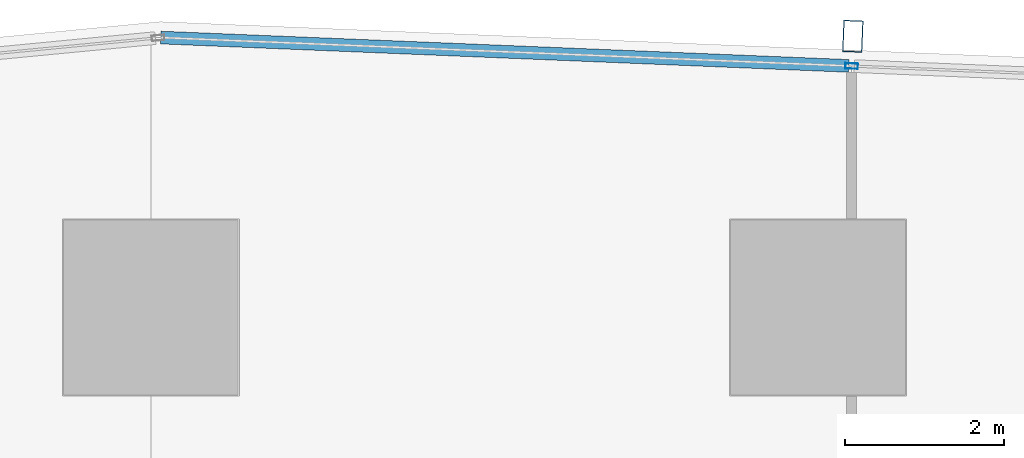
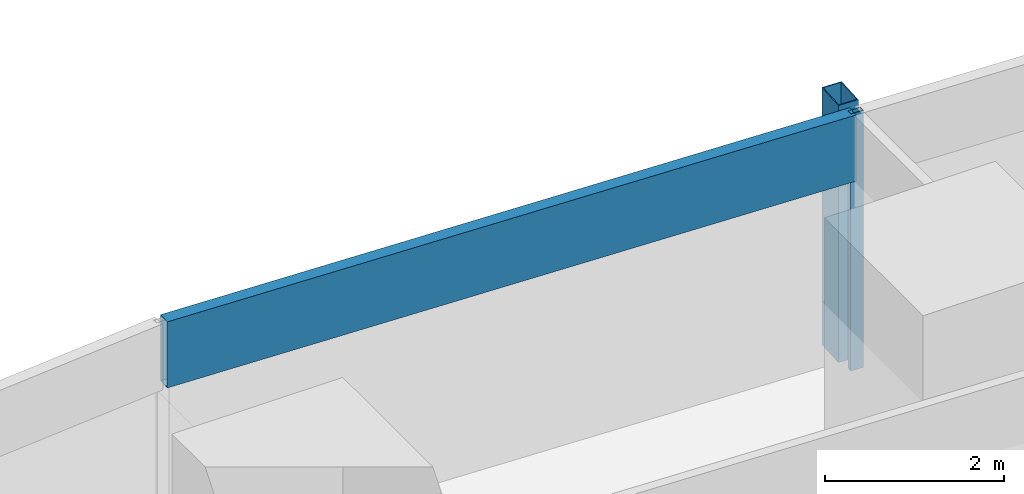
# One storey, part 18 of 42: 3 members, 1 element without a shape of its own.
"""IFC4 building model written with IfcOpenShell, lengths in metres."""

from ifc_helpers import new_model, si_unit, direction, frame, origin, origin_2d, place, context, subcontext, project, spatial, hollow_rectangle, extrude, material, material_profile, profile_set, type_object, element, aggregate, save


model = new_model("IFC4")

# Units and contexts
model_context = context("Model", 3, precision=1e-05, world=origin(), true_north=direction((0.0, 1.0)))
body_context = subcontext(model_context, "Body", "Model", "MODEL_VIEW")
ifc_project = project(units=[si_unit("LENGTHUNIT", "METRE"), si_unit("AREAUNIT", "SQUARE_METRE"), si_unit("VOLUMEUNIT", "CUBIC_METRE"), si_unit("PLANEANGLEUNIT", "RADIAN"), si_unit("MASSUNIT", "GRAM", prefix="KILO")], contexts=[model_context])

# Site, building, storey
site_placement = place(None, origin())
site = spatial("IfcSite", under=ifc_project, at=site_placement, CompositionType="ELEMENT")
building_placement = place(site_placement, origin())
building = spatial("IfcBuilding", under=site, at=building_placement, Name="Rekha Terrace Tower", CompositionType="ELEMENT")
storey_placement = place(building_placement, frame((0.0, 0.0, 70.39990234375)))
storey = spatial("IfcBuildingStorey", under=building, at=storey_placement, Name="L17", CompositionType="ELEMENT", Elevation=70.39990234375)

# Curtain wall, members
ifc_material_1 = material(Name="Aluminium framing", Category="aluminium")
curtain_wall_type = type_object("IfcCurtainWallType", Name="CW3 north unitised glazing", PredefinedType="USERDEFINED", material=ifc_material_1)
curtain_wall_placement = place(storey_placement, origin())
curtain_wall = element("IfcCurtainWall", 1, at=curtain_wall_placement, inside=storey, type_object=curtain_wall_type, Name="CW3 unitised curtain wall", ObjectType="UNITISED CURTAIN WALL", PredefinedType="USERDEFINED")
ifc_material_2 = material(Name="Steel S355 with fluorocarbon finish", Category="steel")
ifc_material_profile_1 = material_profile(ifc_material_2, hollow_rectangle(XDim=0.25, YDim=0.39990234375, WallThickness=0.012451171875, at=origin_2d()), Name="RHS400x250x12.5")
ifc_profile_set_1 = profile_set([ifc_material_profile_1], Name="Steel S355 with fluorocarbon finish")
member_type_1 = type_object("IfcMemberType", Name="BL1 facade blade RHS 400 x 250", PredefinedType="USERDEFINED", material=ifc_profile_set_1)
member_1_placement = place(storey_placement, frame((34.037353515625, 62.2158203125, 0.0), z_axis=(0.0, 0.0, 1.0), x_axis=(-0.99915196507, 0.041174636562, 0.0)))
member_1 = element("IfcMember", 2, at=member_1_placement, type_object=member_type_1, Name="Facade blade", ObjectType="FACADE BLADE", PredefinedType="USERDEFINED", context=body_context, shape_type="SweptSolid", body=[
    extrude(hollow_rectangle(XDim=0.25, YDim=0.39990234375, WallThickness=0.012451171875, at=origin_2d()), origin(), (0.0, 0.0, 1.0), 3.5),
])
ifc_material_3 = material(Name="Aluminium mullion section", Category="aluminium")
ifc_material_profile_2 = material_profile(ifc_material_3, hollow_rectangle(XDim=0.070068359375, YDim=0.159912109375, WallThickness=0.00390625, at=origin_2d()), Name="AL RHS 70x160")
ifc_profile_set_2 = profile_set([ifc_material_profile_2], Name="Aluminium mullion section")
member_type_2 = type_object("IfcMemberType", Name="CW3 mullion RHS 70 x 160", PredefinedType="MULLION", material=ifc_profile_set_2)
member_2_placement = place(storey_placement, frame((34.02197265625, 61.84130859375, 0.0), z_axis=(0.0, 0.0, 1.0), x_axis=(-0.041173846041, -0.999151997647, 0.0)))
member_2 = element("IfcMember", 3, at=member_2_placement, type_object=member_type_2, Name="CW3 mullion 5", PredefinedType="MULLION", context=body_context, shape_type="SweptSolid", body=[
    extrude(hollow_rectangle(XDim=0.070068359375, YDim=0.159912109375, WallThickness=0.00390625, at=origin_2d()), origin(), (0.0, 0.0, 1.0), 3.5),
])
ifc_material_4 = material(Name="Insulated aluminium spandrel box", Category="aluminium")
ifc_material_profile_3 = material_profile(ifc_material_4, hollow_rectangle(XDim=0.159912109375, YDim=0.89990234375, WallThickness=0.0029296875, at=origin_2d()), Name="AL SPANDREL BOX 160x900")
ifc_profile_set_3 = profile_set([ifc_material_profile_3], Name="Insulated aluminium spandrel box")
member_type_3 = type_object("IfcMemberType", Name="CW3 spandrel transom 160 x 900", PredefinedType="USERDEFINED", material=ifc_profile_set_3)
member_3_placement = place(storey_placement, frame((33.987060546875, 61.8427734375, 3.050048828125), z_axis=(-0.999152004012, 0.04117369158, 0.0), x_axis=(-0.04117369158, -0.999152004012, 0.0)))
member_3 = element("IfcMember", 4, at=member_3_placement, type_object=member_type_3, Name="CW3 spandrel transom 5", ObjectType="TRANSOM", PredefinedType="USERDEFINED", context=body_context, shape_type="SweptSolid", body=[
    extrude(hollow_rectangle(XDim=0.159912109375, YDim=0.89990234375, WallThickness=0.0029296875, at=origin_2d()), origin(), (0.0, 0.0, 1.0), 8.6689453125),
])
aggregate(curtain_wall, [member_2, member_3, member_1])

save(model, "model.ifc")
